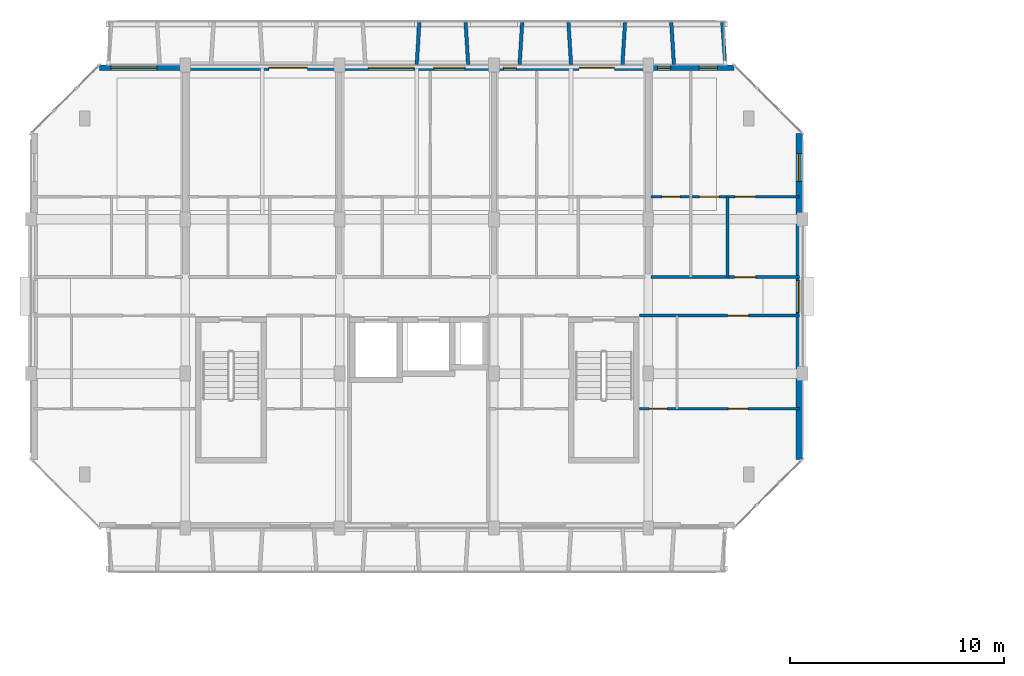
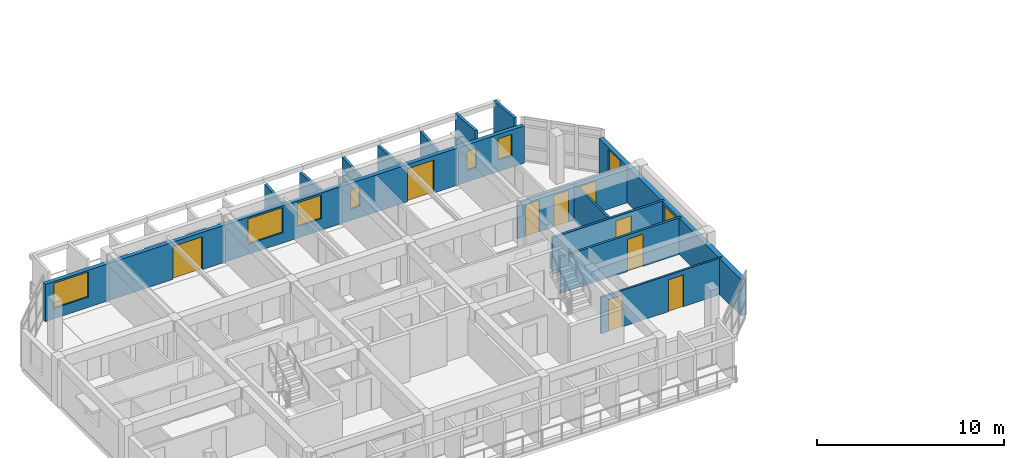
# One storey, part 28 of 51: 14 walls, 9 doors, 8 windows, 17 openings.
"""IFC4 building model written with IfcOpenShell, lengths in metres."""

from ifc_helpers import new_model, si_unit, direction, frame, frame_2d, origin, place, context, subcontext, project, spatial, rectangle, extrude, material, layer, layer_set, type_object, element, fill, save


model = new_model("IFC4")

# Units and contexts
model_context = context("Model", 3, precision=1e-05, world=origin(), true_north=direction((0.0, 1.0)))
body_context = subcontext(model_context, "Body", "Model", "MODEL_VIEW")
ifc_project = project(units=[si_unit("LENGTHUNIT", "METRE"), si_unit("AREAUNIT", "SQUARE_METRE"), si_unit("VOLUMEUNIT", "CUBIC_METRE"), si_unit("PLANEANGLEUNIT", "RADIAN"), si_unit("MASSUNIT", "GRAM", prefix="KILO")], contexts=[model_context])

# Site, building, storey
site_placement = place(None, origin())
site = spatial("IfcSite", under=ifc_project, at=site_placement, CompositionType="ELEMENT")
building_placement = place(site_placement, origin())
building = spatial("IfcBuilding", under=site, at=building_placement, Name="Ochrevale Crest", CompositionType="ELEMENT")
storey_placement = place(building_placement, frame((0.0, 0.0, 11.85009765625)))
storey = spatial("IfcBuildingStorey", under=building, at=storey_placement, Name="L03", CompositionType="ELEMENT", Elevation=11.85009765625)

# Wall, opening, door
ifc_material_1 = material(Name="Gypsum plasterboard", Category="gypsum")
ifc_layer_1 = layer(ifc_material_1, 0.139892578125)
ifc_layer_set_1 = layer_set([ifc_layer_1], Name="Gypsum plasterboard")
wall_type_1 = type_object("IfcWallType", Name="WL-COR-140", PredefinedType="PARTITIONING", material=ifc_layer_set_1)
wall_1_placement = place(storey_placement, frame((28.93994140625, 83.699951171875, 0.0), z_axis=(0.0, 0.0, 1.0), x_axis=(1.0, 0.0, 0.0)))
wall_1 = element("IfcWall", 1, at=wall_1_placement, inside=storey, type_object=wall_type_1, Name="Apartment B-L03-U5 corridor wall", PredefinedType="PARTITIONING", context=body_context, shape_type="SweptSolid", body=[
    extrude(rectangle(XDim=6.920166015625, YDim=0.139892578125, at=frame_2d((3.4599609375, 0.0))), origin(), (0.0, 0.0, 1.0), 2.3798828125),
])
opening_1_placement = place(wall_1_placement, frame((4.875, 0.0, 0.0), z_axis=(0.0, 0.0, 1.0), x_axis=(-1.0, 0.0, 0.0)))
opening_1 = element("IfcOpeningElement", 2, at=opening_1_placement, cuts=wall_1, Name="Opening FD01", PredefinedType="OPENING", context=body_context, shape_type="SweptSolid", body=[
    extrude(rectangle(XDim=0.97998046875, YDim=2.10009765625, at=frame_2d((0.489990234375, 1.050048828125))), frame((0.0, 0.080078125, 0.0), z_axis=(0.0, -1.0, 0.0), x_axis=(1.0, 0.0, 0.0)), (0.0, 0.0, 1.0), 0.159912109375),
])
ifc_material_2 = material(Name="Solid-core FSC hardwood", Category="wood")
door_type_1 = type_object("IfcDoorType", Name="DR-APT-950", OperationType="NOTDEFINED", PredefinedType="DOOR", material=ifc_material_2)
door_1_placement = place(opening_1_placement, origin())
door_1 = element("IfcDoor", 3, at=door_1_placement, inside=storey, type_object=door_type_1, Name="Apartment B-L03-U5 entrance door", OperationType="SINGLE_SWING_RIGHT", OverallHeight=2.10009765625, OverallWidth=0.97998046875, PredefinedType="DOOR", context=body_context, shape_type="SweptSolid", body=[
    extrude(rectangle(XDim=0.97998046875, YDim=2.10009765625, at=frame_2d((0.489990234375, 1.050048828125))), frame((0.0, 0.02490234375, 0.0), z_axis=(0.0, -1.0, 0.0), x_axis=(1.0, 0.0, 0.0)), (0.0, 0.0, 1.0), 0.050048828125),
])
fill(opening_1, door_1)

wall_2_placement = place(storey_placement, frame((28.389892578125, 81.89990234375, 0.0), z_axis=(0.0, 0.0, 1.0), x_axis=(1.0, 0.0, 0.0)))
wall_2 = element("IfcWall", 4, at=wall_2_placement, inside=storey, type_object=wall_type_1, Name="Suite B-L03-CE corridor wall", PredefinedType="PARTITIONING", context=body_context, shape_type="SweptSolid", body=[
    extrude(rectangle(XDim=7.47021484375, YDim=0.139892578125, at=frame_2d((3.735107421875, 0.0))), origin(), (0.0, 0.0, 1.0), 2.3798828125),
])
opening_2_placement = place(wall_2_placement, frame((5.10009765625, 0.0, 0.0), z_axis=(0.0, 0.0, 1.0), x_axis=(-1.0, 0.0, 0.0)))
opening_2 = element("IfcOpeningElement", 5, at=opening_2_placement, cuts=wall_2, Name="Opening FD01", PredefinedType="OPENING", context=body_context, shape_type="SweptSolid", body=[
    extrude(rectangle(XDim=0.97998046875, YDim=2.10009765625, at=frame_2d((0.489990234375, 1.050048828125))), frame((0.0, 0.080078125, 0.0), z_axis=(0.0, -1.0, 0.0), x_axis=(1.0, 0.0, 0.0)), (0.0, 0.0, 1.0), 0.159912109375),
])
door_2_placement = place(opening_2_placement, origin())
door_2 = element("IfcDoor", 6, at=door_2_placement, inside=storey, type_object=door_type_1, Name="Suite B-L03-CE entrance door", OperationType="SINGLE_SWING_RIGHT", OverallHeight=2.10009765625, OverallWidth=0.97998046875, PredefinedType="DOOR", context=body_context, shape_type="SweptSolid", body=[
    extrude(rectangle(XDim=0.97998046875, YDim=2.10009765625, at=frame_2d((0.489990234375, 1.050048828125))), frame((0.0, 0.02490234375, 0.0), z_axis=(0.0, -1.0, 0.0), x_axis=(1.0, 0.0, 0.0)), (0.0, 0.0, 1.0), 0.050048828125),
])
fill(opening_2, door_2)

# Wall, openings, windows
ifc_material_3 = material(Name="Clay face brickwork", Category="masonry")
ifc_layer_2 = layer(ifc_material_3, 0.2900390625)
ifc_layer_set_2 = layer_set([ifc_layer_2], Name="Clay face brickwork")
wall_type_2 = type_object("IfcWallType", Name="WL-EXT-BRICK-290", PredefinedType="SOLIDWALL", material=ifc_layer_set_2)
wall_3_placement = place(storey_placement, frame((35.85498046875, 75.199951171875, 0.0), z_axis=(0.0, 0.0, 1.0), x_axis=(0.0, 1.0, 0.0)))
wall_3 = element("IfcWall", 7, at=wall_3_placement, inside=storey, type_object=wall_type_2, Name="Block B L03 external facade wall E3", PredefinedType="SOLIDWALL", context=body_context, shape_type="SweptSolid", body=[
    extrude(rectangle(XDim=15.199951171875, YDim=0.2900390625, at=frame_2d((7.60009765625, 0.0))), origin(), (0.0, 0.0, 1.0), 2.3798828125),
])
opening_3_placement = place(wall_3_placement, frame((6.85009765625, 0.0, 1.050048828125)))
opening_3 = element("IfcOpeningElement", 8, at=opening_3_placement, cuts=wall_3, Name="Opening W18", PredefinedType="OPENING", context=body_context, shape_type="SweptSolid", body=[
    extrude(rectangle(XDim=1.5, YDim=1.14990234375, at=frame_2d((0.75, 0.574951171875))), frame((0.0, 0.155029296875, 0.0), z_axis=(0.0, -1.0, 0.0), x_axis=(1.0, 0.0, 0.0)), (0.0, 0.0, 1.0), 0.31005859375),
])
opening_4_placement = place(wall_3_placement, frame((12.9599609375, 0.0, 0.719970703125)))
opening_4 = element("IfcOpeningElement", 9, at=opening_4_placement, cuts=wall_3, Name="Opening W30", PredefinedType="OPENING", context=body_context, shape_type="SweptSolid", body=[
    extrude(rectangle(XDim=1.300048828125, YDim=1.550048828125, at=frame_2d((0.64990234375, 0.77490234375))), frame((0.0, 0.155029296875, 0.0), z_axis=(0.0, -1.0, 0.0), x_axis=(1.0, 0.0, 0.0)), (0.0, 0.0, 1.0), 0.31005859375),
])
ifc_material_4 = material(Name="Anodised aluminium 6063-T5 and low-E double glazing", Category="aluminium")
window_type_1 = type_object("IfcWindowType", Name="WIN-W18", PartitioningType="SINGLE_PANEL", PredefinedType="WINDOW", material=ifc_material_4)
window_1_placement = place(opening_3_placement, origin())
window_1 = element("IfcWindow", 10, at=window_1_placement, inside=storey, type_object=window_type_1, Name="Block B L03 corridor end daylight window E", OverallHeight=1.14990234375, OverallWidth=1.5, PartitioningType="SINGLE_PANEL", PredefinedType="WINDOW", context=body_context, shape_type="SweptSolid", body=[
    extrude(rectangle(XDim=1.5, YDim=1.14990234375, at=frame_2d((0.75, 0.574951171875))), frame((0.0, 0.030029296875, 0.0), z_axis=(0.0, -1.0, 0.0), x_axis=(1.0, 0.0, 0.0)), (0.0, 0.0, 1.0), 0.06005859375),
])
fill(opening_3, window_1)
window_type_2 = type_object("IfcWindowType", Name="WIN-W30", PartitioningType="SINGLE_PANEL", PredefinedType="WINDOW", material=ifc_material_4)
window_2_placement = place(opening_4_placement, origin())
window_2 = element("IfcWindow", 11, at=window_2_placement, inside=storey, type_object=window_type_2, Name="Block B L03 side suite window E", OverallHeight=1.550048828125, OverallWidth=1.300048828125, PartitioningType="SINGLE_PANEL", PredefinedType="WINDOW", context=body_context, shape_type="SweptSolid", body=[
    extrude(rectangle(XDim=1.300048828125, YDim=1.550048828125, at=frame_2d((0.64990234375, 0.77490234375))), frame((0.0, 0.030029296875, 0.0), z_axis=(0.0, -1.0, 0.0), x_axis=(1.0, 0.0, 0.0)), (0.0, 0.0, 1.0), 0.06005859375),
])
fill(opening_4, window_2)

# Wall, openings, doors, windows
ifc_material_5 = material(Name="Precast concrete C40/50", Category="concrete")
ifc_layer_3 = layer(ifc_material_5, 0.25)
ifc_layer_set_3 = layer_set([ifc_layer_3], Name="Precast concrete C40/50")
wall_type_3 = type_object("IfcWallType", Name="WL-EXT-GOLD-250", PredefinedType="SOLIDWALL", material=ifc_layer_set_3)
wall_4_placement = place(storey_placement, frame((32.800048828125, 93.47509765625, 0.0), z_axis=(0.0, 0.0, 1.0), x_axis=(-1.0, 0.0, 0.0)))
wall_4 = element("IfcWall", 12, at=wall_4_placement, inside=storey, type_object=wall_type_3, Name="Block B L03 external facade wall E5", PredefinedType="SOLIDWALL", context=body_context, shape_type="SweptSolid", body=[
    extrude(rectangle(XDim=29.60009765625, YDim=0.25, at=frame_2d((14.800048828125, 0.0))), origin(), (0.0, 0.0, 1.0), 2.429931640625),
])
opening_5_placement = place(wall_4_placement, frame((21.699951171875, 0.0, 0.0), z_axis=(0.0, 0.0, 1.0), x_axis=(-1.0, 0.0, 0.0)))
opening_5 = element("IfcOpeningElement", 13, at=opening_5_placement, cuts=wall_4, Name="Opening BD03", PredefinedType="OPENING", context=body_context, shape_type="SweptSolid", body=[
    extrude(rectangle(XDim=1.800048828125, YDim=2.14990234375, at=frame_2d((0.89990234375, 1.074951171875))), frame((0.0, 0.135009765625, 0.0), z_axis=(0.0, -1.0, 0.0), x_axis=(1.0, 0.0, 0.0)), (0.0, 0.0, 1.0), 0.27001953125),
])
opening_6_placement = place(wall_4_placement, frame((7.224853515625, 0.0, 0.0), z_axis=(0.0, 0.0, 1.0), x_axis=(-1.0, 0.0, 0.0)))
opening_6 = element("IfcOpeningElement", 14, at=opening_6_placement, cuts=wall_4, Name="Opening BD02", PredefinedType="OPENING", context=body_context, shape_type="SweptSolid", body=[
    extrude(rectangle(XDim=1.64990234375, YDim=2.14990234375, at=frame_2d((0.824951171875, 1.074951171875))), frame((0.0, 0.135009765625, 0.0), z_axis=(0.0, -1.0, 0.0), x_axis=(1.0, 0.0, 0.0)), (0.0, 0.0, 1.0), 0.27001953125),
])
opening_7_placement = place(wall_4_placement, frame((26.925048828125, 0.0, 0.669921875)))
opening_7 = element("IfcOpeningElement", 15, at=opening_7_placement, cuts=wall_4, Name="Opening W13", PredefinedType="OPENING", context=body_context, shape_type="SweptSolid", body=[
    extrude(rectangle(XDim=2.14990234375, YDim=1.64990234375, at=frame_2d((1.074951171875, 0.824951171875))), frame((0.0, 0.135009765625, 0.0), z_axis=(0.0, -1.0, 0.0), x_axis=(1.0, 0.0, 0.0)), (0.0, 0.0, 1.0), 0.27001953125),
])
opening_8_placement = place(wall_4_placement, frame((14.925048828125, 0.0, 0.669921875)))
opening_8 = element("IfcOpeningElement", 16, at=opening_8_placement, cuts=wall_4, Name="Opening W13", PredefinedType="OPENING", context=body_context, shape_type="SweptSolid", body=[
    extrude(rectangle(XDim=2.14990234375, YDim=1.64990234375, at=frame_2d((1.074951171875, 0.824951171875))), frame((0.0, 0.135009765625, 0.0), z_axis=(0.0, -1.0, 0.0), x_axis=(1.0, 0.0, 0.0)), (0.0, 0.0, 1.0), 0.27001953125),
])
opening_9_placement = place(wall_4_placement, frame((12.544921875, 0.0, 0.75)))
opening_9 = element("IfcOpeningElement", 17, at=opening_9_placement, cuts=wall_4, Name="Opening W08", PredefinedType="OPENING", context=body_context, shape_type="SweptSolid", body=[
    extrude(rectangle(XDim=1.4599609375, YDim=1.550048828125, at=frame_2d((0.72998046875, 0.77490234375))), frame((0.0, 0.135009765625, 0.0), z_axis=(0.0, -1.0, 0.0), x_axis=(1.0, 0.0, 0.0)), (0.0, 0.0, 1.0), 0.27001953125),
])
opening_10_placement = place(wall_4_placement, frame((10.155029296875, 0.0, 0.75)))
opening_10 = element("IfcOpeningElement", 18, at=opening_10_placement, cuts=wall_4, Name="Opening W01", PredefinedType="OPENING", context=body_context, shape_type="SweptSolid", body=[
    extrude(rectangle(XDim=0.60009765625, YDim=1.25, at=frame_2d((0.300048828125, 0.625))), frame((0.0, 0.135009765625, 0.0), z_axis=(0.0, -1.0, 0.0), x_axis=(1.0, 0.0, 0.0)), (0.0, 0.0, 1.0), 0.27001953125),
])
opening_11_placement = place(wall_4_placement, frame((2.955078125, 0.0, 0.75)))
opening_11 = element("IfcOpeningElement", 19, at=opening_11_placement, cuts=wall_4, Name="Opening W01", PredefinedType="OPENING", context=body_context, shape_type="SweptSolid", body=[
    extrude(rectangle(XDim=0.60009765625, YDim=1.25, at=frame_2d((0.300048828125, 0.625))), frame((0.0, 0.135009765625, 0.0), z_axis=(0.0, -1.0, 0.0), x_axis=(1.0, 0.0, 0.0)), (0.0, 0.0, 1.0), 0.27001953125),
])
opening_12_placement = place(wall_4_placement, frame((0.77490234375, 0.0, 0.75)))
opening_12 = element("IfcOpeningElement", 20, at=opening_12_placement, cuts=wall_4, Name="Opening W03", PredefinedType="OPENING", context=body_context, shape_type="SweptSolid", body=[
    extrude(rectangle(XDim=0.85009765625, YDim=1.39990234375, at=frame_2d((0.425048828125, 0.699951171875))), frame((0.0, 0.135009765625, 0.0), z_axis=(0.0, -1.0, 0.0), x_axis=(1.0, 0.0, 0.0)), (0.0, 0.0, 1.0), 0.27001953125),
])
ifc_material_6 = material(Name="Anodised aluminium 6063-T5 and toughened glass", Category="aluminium")
door_type_2 = type_object("IfcDoorType", Name="DR-BAL-1650", OperationType="NOTDEFINED", PredefinedType="DOOR", material=ifc_material_6)
door_3_placement = place(opening_6_placement, origin())
door_3 = element("IfcDoor", 21, at=door_3_placement, inside=storey, type_object=door_type_2, Name="Block B L03 balcony door N4", OperationType="SINGLE_SWING_LEFT", OverallHeight=2.14990234375, OverallWidth=1.64990234375, PredefinedType="DOOR", context=body_context, shape_type="SweptSolid", body=[
    extrude(rectangle(XDim=1.64990234375, YDim=2.14990234375, at=frame_2d((0.824951171875, 1.074951171875))), frame((0.0, 0.02490234375, 0.0), z_axis=(0.0, -1.0, 0.0), x_axis=(1.0, 0.0, 0.0)), (0.0, 0.0, 1.0), 0.050048828125),
])
fill(opening_6, door_3)
door_type_3 = type_object("IfcDoorType", Name="DR-BAL-1800", OperationType="NOTDEFINED", PredefinedType="DOOR", material=ifc_material_6)
door_4_placement = place(opening_5_placement, origin())
door_4 = element("IfcDoor", 22, at=door_4_placement, inside=storey, type_object=door_type_3, Name="Block B L03 balcony door N2", OperationType="SINGLE_SWING_RIGHT", OverallHeight=2.14990234375, OverallWidth=1.800048828125, PredefinedType="DOOR", context=body_context, shape_type="SweptSolid", body=[
    extrude(rectangle(XDim=1.800048828125, YDim=2.14990234375, at=frame_2d((0.89990234375, 1.074951171875))), frame((0.0, 0.02490234375, 0.0), z_axis=(0.0, -1.0, 0.0), x_axis=(1.0, 0.0, 0.0)), (0.0, 0.0, 1.0), 0.050048828125),
])
fill(opening_5, door_4)
window_type_3 = type_object("IfcWindowType", Name="WIN-W01", PartitioningType="SINGLE_PANEL", PredefinedType="WINDOW", material=ifc_material_4)
window_3_placement = place(opening_10_placement, origin())
window_3 = element("IfcWindow", 23, at=window_3_placement, inside=storey, type_object=window_type_3, Name="Block B L03 Apartment B-L03-U4 Master Bedroom window", OverallHeight=1.25, OverallWidth=0.60009765625, PartitioningType="SINGLE_PANEL", PredefinedType="WINDOW", context=body_context, shape_type="SweptSolid", body=[
    extrude(rectangle(XDim=0.60009765625, YDim=1.25, at=frame_2d((0.300048828125, 0.625))), frame((0.0, 0.030029296875, 0.0), z_axis=(0.0, -1.0, 0.0), x_axis=(1.0, 0.0, 0.0)), (0.0, 0.0, 1.0), 0.06005859375),
])
fill(opening_10, window_3)
window_4_placement = place(opening_11_placement, origin())
window_4 = element("IfcWindow", 24, at=window_4_placement, inside=storey, type_object=window_type_3, Name="Block B L03 Apartment B-L03-U5 Twin Bedroom window", OverallHeight=1.25, OverallWidth=0.60009765625, PartitioningType="SINGLE_PANEL", PredefinedType="WINDOW", context=body_context, shape_type="SweptSolid", body=[
    extrude(rectangle(XDim=0.60009765625, YDim=1.25, at=frame_2d((0.300048828125, 0.625))), frame((0.0, 0.030029296875, 0.0), z_axis=(0.0, -1.0, 0.0), x_axis=(1.0, 0.0, 0.0)), (0.0, 0.0, 1.0), 0.06005859375),
])
fill(opening_11, window_4)
window_type_4 = type_object("IfcWindowType", Name="WIN-W03", PartitioningType="SINGLE_PANEL", PredefinedType="WINDOW", material=ifc_material_4)
window_5_placement = place(opening_12_placement, origin())
window_5 = element("IfcWindow", 25, at=window_5_placement, inside=storey, type_object=window_type_4, Name="Block B L03 Apartment B-L03-U5 Three Bedroom Family Living window", OverallHeight=1.39990234375, OverallWidth=0.85009765625, PartitioningType="SINGLE_PANEL", PredefinedType="WINDOW", context=body_context, shape_type="SweptSolid", body=[
    extrude(rectangle(XDim=0.85009765625, YDim=1.39990234375, at=frame_2d((0.425048828125, 0.699951171875))), frame((0.0, 0.030029296875, 0.0), z_axis=(0.0, -1.0, 0.0), x_axis=(1.0, 0.0, 0.0)), (0.0, 0.0, 1.0), 0.06005859375),
])
fill(opening_12, window_5)
window_type_5 = type_object("IfcWindowType", Name="WIN-W08", PartitioningType="SINGLE_PANEL", PredefinedType="WINDOW", material=ifc_material_4)
window_6_placement = place(opening_9_placement, origin())
window_6 = element("IfcWindow", 26, at=window_6_placement, inside=storey, type_object=window_type_5, Name="Block B L03 Apartment B-L03-U3 Two Bedroom Living Room window", OverallHeight=1.550048828125, OverallWidth=1.4599609375, PartitioningType="SINGLE_PANEL", PredefinedType="WINDOW", context=body_context, shape_type="SweptSolid", body=[
    extrude(rectangle(XDim=1.4599609375, YDim=1.550048828125, at=frame_2d((0.72998046875, 0.77490234375))), frame((0.0, 0.030029296875, 0.0), z_axis=(0.0, -1.0, 0.0), x_axis=(1.0, 0.0, 0.0)), (0.0, 0.0, 1.0), 0.06005859375),
])
fill(opening_9, window_6)
window_type_6 = type_object("IfcWindowType", Name="WIN-W13", PartitioningType="SINGLE_PANEL", PredefinedType="WINDOW", material=ifc_material_4)
window_7_placement = place(opening_7_placement, origin())
window_7 = element("IfcWindow", 27, at=window_7_placement, inside=storey, type_object=window_type_6, Name="Block B L03 Studio B-L03-U1 Living Room window", OverallHeight=1.64990234375, OverallWidth=2.14990234375, PartitioningType="SINGLE_PANEL", PredefinedType="WINDOW", context=body_context, shape_type="SweptSolid", body=[
    extrude(rectangle(XDim=2.14990234375, YDim=1.64990234375, at=frame_2d((1.074951171875, 0.824951171875))), frame((0.0, 0.030029296875, 0.0), z_axis=(0.0, -1.0, 0.0), x_axis=(1.0, 0.0, 0.0)), (0.0, 0.0, 1.0), 0.06005859375),
])
fill(opening_7, window_7)
window_8_placement = place(opening_8_placement, origin())
window_8 = element("IfcWindow", 28, at=window_8_placement, inside=storey, type_object=window_type_6, Name="Block B L03 Apartment B-L03-U3 Double Bedroom window", OverallHeight=1.64990234375, OverallWidth=2.14990234375, PartitioningType="SINGLE_PANEL", PredefinedType="WINDOW", context=body_context, shape_type="SweptSolid", body=[
    extrude(rectangle(XDim=2.14990234375, YDim=1.64990234375, at=frame_2d((1.074951171875, 0.824951171875))), frame((0.0, 0.030029296875, 0.0), z_axis=(0.0, -1.0, 0.0), x_axis=(1.0, 0.0, 0.0)), (0.0, 0.0, 1.0), 0.06005859375),
])
fill(opening_8, window_8)

# Walls
ifc_layer_4 = layer(ifc_material_5, 0.1650390625)
ifc_layer_set_4 = layer_set([ifc_layer_4], Name="Precast concrete C40/50")
wall_type_4 = type_object("IfcWallType", Name="WL-HC-CHEEK-165", PredefinedType="ELEMENTEDWALL", material=ifc_layer_set_4)
for number, where, z_axis, x_axis, name in (
    (29, (18.0, 93.6201171875, 0.0), (0.0, 0.0, 1.0), (0.061170732449, 0.998127317276, 0.0), "Block B L03 N precast honeycomb cheek 7"),
    (30, (20.39990234375, 93.6201171875, 0.0), (0.0, 0.0, 1.0), (-0.061046865508, 0.998134900808, 0.0), "Block B L03 N precast honeycomb cheek 8"),
):
    element("IfcWall", number, at=place(storey_placement, frame(where, z_axis=z_axis, x_axis=x_axis)), inside=storey, type_object=wall_type_4, Name=name, PredefinedType="ELEMENTEDWALL", context=body_context, shape_type="SweptSolid", body=[
        extrude(rectangle(XDim=1.963623046875, YDim=0.1650390625, at=frame_2d((0.98193359375, 0.0))), origin(), (0.0, 0.0, 1.0), 2.449951171875),
    ])
for number, where, z_axis, x_axis, name in (
    (31, (22.800048828125, 93.6201171875, 0.0), (0.0, 0.0, 1.0), (0.061046865508, 0.998134900808, 0.0), "Block B L03 N precast honeycomb cheek 9"),
    (32, (25.199951171875, 93.6201171875, 0.0), (0.0, 0.0, 1.0), (-0.061046865508, 0.998134900808, 0.0), "Block B L03 N precast honeycomb cheek 10"),
    (33, (27.60009765625, 93.6201171875, 0.0), (0.0, 0.0, 1.0), (0.061046865508, 0.998134900808, 0.0), "Block B L03 N precast honeycomb cheek 11"),
):
    element("IfcWall", number, at=place(storey_placement, frame(where, z_axis=z_axis, x_axis=x_axis)), inside=storey, type_object=wall_type_4, Name=name, PredefinedType="ELEMENTEDWALL", context=body_context, shape_type="SweptSolid", body=[
        extrude(rectangle(XDim=1.963623046875, YDim=0.1650390625, at=frame_2d((0.98193359375, 0.0))), origin(), (0.0, 0.0, 1.0), 2.52978515625),
    ])
wall_5_placement = place(storey_placement, frame((30.0, 93.6201171875, 0.0), z_axis=(0.0, 0.0, 1.0), x_axis=(-0.061170732449, 0.998127317276, 0.0)))
element("IfcWall", 34, at=wall_5_placement, inside=storey, type_object=wall_type_4, Name="Block B L03 N precast honeycomb cheek 12", PredefinedType="ELEMENTEDWALL", context=body_context, shape_type="SweptSolid", body=[
    extrude(rectangle(XDim=1.963623046875, YDim=0.1650390625, at=frame_2d((0.98193359375, 0.0))), origin(), (0.0, 0.0, 1.0), 2.949951171875),
])
wall_6_placement = place(storey_placement, frame((32.39990234375, 93.6201171875, 0.0), z_axis=(0.0, 0.0, 1.0), x_axis=(-0.071194071069, 0.997462482625, 0.0)))
element("IfcWall", 35, at=wall_6_placement, inside=storey, type_object=wall_type_4, Name="Block B L03 N precast honeycomb cheek 13", PredefinedType="ELEMENTEDWALL", context=body_context, shape_type="SweptSolid", body=[
    extrude(rectangle(XDim=1.96484375, YDim=0.1650390625, at=frame_2d((0.982421875, 0.0))), origin(), (0.0, 0.0, 1.0), 2.949951171875),
])
ifc_layer_5 = layer(ifc_material_1, 0.1201171875)
ifc_layer_set_5 = layer_set([ifc_layer_5], Name="Gypsum plasterboard")
wall_type_5 = type_object("IfcWallType", Name="WL-PART-120", PredefinedType="PARTITIONING", material=ifc_layer_set_5)
wall_7_placement = place(storey_placement, frame((32.5, 83.699951171875, 0.0), z_axis=(0.0, 0.0, 1.0), x_axis=(0.0, 1.0, 0.0)))
element("IfcWall", 36, at=wall_7_placement, inside=storey, type_object=wall_type_5, Name="Apartment B-L03-U5 kitchen-foyer wall", PredefinedType="PARTITIONING", context=body_context, shape_type="SweptSolid", body=[
    extrude(rectangle(XDim=3.75, YDim=0.1201171875, at=frame_2d((1.875, 0.0))), origin(), (0.0, 0.0, 1.0), 2.375),
])

# Wall, openings, doors
wall_8_placement = place(storey_placement, frame((28.93994140625, 87.449951171875, 0.0), z_axis=(0.0, 0.0, 1.0), x_axis=(1.0, 0.0, 0.0)))
wall_8 = element("IfcWall", 37, at=wall_8_placement, inside=storey, type_object=wall_type_5, Name="Apartment B-L03-U5 central partition", PredefinedType="PARTITIONING", context=body_context, shape_type="SweptSolid", body=[
    extrude(rectangle(XDim=6.920166015625, YDim=0.1201171875, at=frame_2d((3.4599609375, 0.0))), origin(), (0.0, 0.0, 1.0), 2.3798828125),
])
opening_13_placement = place(wall_8_placement, frame((0.5, 0.0, 0.0)))
opening_13 = element("IfcOpeningElement", 38, at=opening_13_placement, cuts=wall_8, Name="Opening ID01", PredefinedType="OPENING", context=body_context, shape_type="SweptSolid", body=[
    extrude(rectangle(XDim=0.85009765625, YDim=2.080078125, at=frame_2d((0.425048828125, 1.0400390625))), frame((0.0, 0.070068359375, 0.0), z_axis=(0.0, -1.0, 0.0), x_axis=(1.0, 0.0, 0.0)), (0.0, 0.0, 1.0), 0.14013671875),
])
opening_14_placement = place(wall_8_placement, frame((3.15478515625, 0.0, 0.0), z_axis=(0.0, 0.0, 1.0), x_axis=(-1.0, 0.0, 0.0)))
opening_14 = element("IfcOpeningElement", 39, at=opening_14_placement, cuts=wall_8, Name="Opening ID02", PredefinedType="OPENING", context=body_context, shape_type="SweptSolid", body=[
    extrude(rectangle(XDim=0.89990234375, YDim=2.080078125, at=frame_2d((0.449951171875, 1.0400390625))), frame((0.0, 0.070068359375, 0.0), z_axis=(0.0, -1.0, 0.0), x_axis=(1.0, 0.0, 0.0)), (0.0, 0.0, 1.0), 0.14013671875),
])
opening_15_placement = place(wall_8_placement, frame((3.909912109375, 0.0, 0.0)))
opening_15 = element("IfcOpeningElement", 40, at=opening_15_placement, cuts=wall_8, Name="Opening ID06", PredefinedType="OPENING", context=body_context, shape_type="SweptSolid", body=[
    extrude(rectangle(XDim=0.949951171875, YDim=2.080078125, at=frame_2d((0.47509765625, 1.0400390625))), frame((0.0, 0.070068359375, 0.0), z_axis=(0.0, -1.0, 0.0), x_axis=(1.0, 0.0, 0.0)), (0.0, 0.0, 1.0), 0.14013671875),
])
door_type_4 = type_object("IfcDoorType", Name="DR-INT-900", OperationType="NOTDEFINED", PredefinedType="DOOR", material=ifc_material_2)
door_5_placement = place(opening_14_placement, origin())
door_5 = element("IfcDoor", 41, at=door_5_placement, inside=storey, type_object=door_type_4, Name="Apartment B-L03-U5 Kitchen door", OperationType="SINGLE_SWING_RIGHT", OverallHeight=2.080078125, OverallWidth=0.89990234375, PredefinedType="DOOR", context=body_context, shape_type="SweptSolid", body=[
    extrude(rectangle(XDim=0.89990234375, YDim=2.080078125, at=frame_2d((0.449951171875, 1.0400390625))), frame((0.0, 0.02490234375, 0.0), z_axis=(0.0, -1.0, 0.0), x_axis=(1.0, 0.0, 0.0)), (0.0, 0.0, 1.0), 0.050048828125),
])
fill(opening_14, door_5)
door_type_5 = type_object("IfcDoorType", Name="DR-INT-950", OperationType="NOTDEFINED", PredefinedType="DOOR", material=ifc_material_2)
door_6_placement = place(opening_15_placement, origin())
door_6 = element("IfcDoor", 42, at=door_6_placement, inside=storey, type_object=door_type_5, Name="Apartment B-L03-U5 Living Foyer door", OperationType="SINGLE_SWING_LEFT", OverallHeight=2.080078125, OverallWidth=0.949951171875, PredefinedType="DOOR", context=body_context, shape_type="SweptSolid", body=[
    extrude(rectangle(XDim=0.949951171875, YDim=2.080078125, at=frame_2d((0.47509765625, 1.0400390625))), frame((0.0, 0.02490234375, 0.0), z_axis=(0.0, -1.0, 0.0), x_axis=(1.0, 0.0, 0.0)), (0.0, 0.0, 1.0), 0.050048828125),
])
fill(opening_15, door_6)
door_type_6 = type_object("IfcDoorType", Name="DR-WC-850", OperationType="NOTDEFINED", PredefinedType="DOOR", material=ifc_material_2)
door_7_placement = place(opening_13_placement, origin())
door_7 = element("IfcDoor", 43, at=door_7_placement, inside=storey, type_object=door_type_6, Name="Apartment B-L03-U5 Bathroom door", OperationType="SINGLE_SWING_LEFT", OverallHeight=2.080078125, OverallWidth=0.85009765625, PredefinedType="DOOR", context=body_context, shape_type="SweptSolid", body=[
    extrude(rectangle(XDim=0.85009765625, YDim=2.080078125, at=frame_2d((0.425048828125, 1.0400390625))), frame((0.0, 0.02490234375, 0.0), z_axis=(0.0, -1.0, 0.0), x_axis=(1.0, 0.0, 0.0)), (0.0, 0.0, 1.0), 0.050048828125),
])
fill(opening_13, door_7)

wall_9_placement = place(storey_placement, frame((28.389892578125, 77.550048828125, 0.0), z_axis=(0.0, 0.0, 1.0), x_axis=(1.0, 0.0, 0.0)))
wall_9 = element("IfcWall", 44, at=wall_9_placement, inside=storey, type_object=wall_type_5, Name="Suite B-L03-CE internal wall", PredefinedType="PARTITIONING", context=body_context, shape_type="SweptSolid", body=[
    extrude(rectangle(XDim=7.47021484375, YDim=0.1201171875, at=frame_2d((3.735107421875, 0.0))), origin(), (0.0, 0.0, 1.0), 2.3798828125),
])
opening_16_placement = place(wall_9_placement, frame((0.449951171875, 0.0, 0.0)))
opening_16 = element("IfcOpeningElement", 45, at=opening_16_placement, cuts=wall_9, Name="Opening ID01", PredefinedType="OPENING", context=body_context, shape_type="SweptSolid", body=[
    extrude(rectangle(XDim=0.85009765625, YDim=2.080078125, at=frame_2d((0.425048828125, 1.0400390625))), frame((0.0, 0.070068359375, 0.0), z_axis=(0.0, -1.0, 0.0), x_axis=(1.0, 0.0, 0.0)), (0.0, 0.0, 1.0), 0.14013671875),
])
opening_17_placement = place(wall_9_placement, frame((5.06982421875, 0.0, 0.0), z_axis=(0.0, 0.0, 1.0), x_axis=(-1.0, 0.0, 0.0)))
opening_17 = element("IfcOpeningElement", 46, at=opening_17_placement, cuts=wall_9, Name="Opening ID04", PredefinedType="OPENING", context=body_context, shape_type="SweptSolid", body=[
    extrude(rectangle(XDim=0.919921875, YDim=2.080078125, at=frame_2d((0.4599609375, 1.0400390625))), frame((0.0, 0.070068359375, 0.0), z_axis=(0.0, -1.0, 0.0), x_axis=(1.0, 0.0, 0.0)), (0.0, 0.0, 1.0), 0.14013671875),
])
door_type_7 = type_object("IfcDoorType", Name="DR-INT-920", OperationType="NOTDEFINED", PredefinedType="DOOR", material=ifc_material_2)
door_8_placement = place(opening_17_placement, origin())
door_8 = element("IfcDoor", 47, at=door_8_placement, inside=storey, type_object=door_type_7, Name="Suite B-L03-CE Master Bedroom door", OperationType="SINGLE_SWING_RIGHT", OverallHeight=2.080078125, OverallWidth=0.919921875, PredefinedType="DOOR", context=body_context, shape_type="SweptSolid", body=[
    extrude(rectangle(XDim=0.919921875, YDim=2.080078125, at=frame_2d((0.4599609375, 1.0400390625))), frame((0.0, 0.02490234375, 0.0), z_axis=(0.0, -1.0, 0.0), x_axis=(1.0, 0.0, 0.0)), (0.0, 0.0, 1.0), 0.050048828125),
])
fill(opening_17, door_8)
door_9_placement = place(opening_16_placement, origin())
door_9 = element("IfcDoor", 48, at=door_9_placement, inside=storey, type_object=door_type_6, Name="Suite B-L03-CE Bathroom door", OperationType="SINGLE_SWING_LEFT", OverallHeight=2.080078125, OverallWidth=0.85009765625, PredefinedType="DOOR", context=body_context, shape_type="SweptSolid", body=[
    extrude(rectangle(XDim=0.85009765625, YDim=2.080078125, at=frame_2d((0.425048828125, 1.0400390625))), frame((0.0, 0.02490234375, 0.0), z_axis=(0.0, -1.0, 0.0), x_axis=(1.0, 0.0, 0.0)), (0.0, 0.0, 1.0), 0.050048828125),
])
fill(opening_16, door_9)

save(model, "model.ifc")
